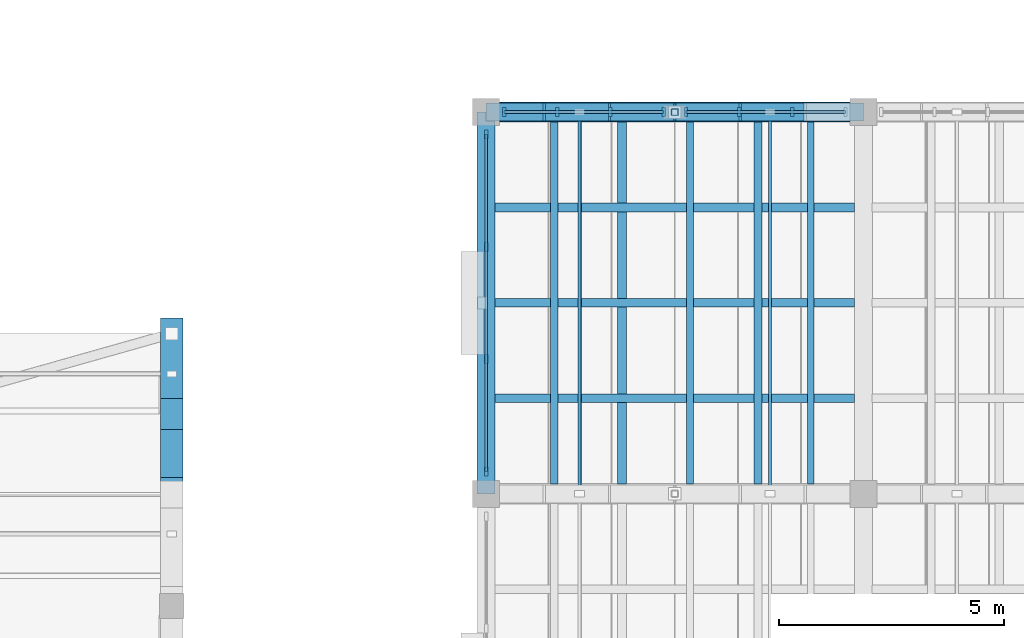
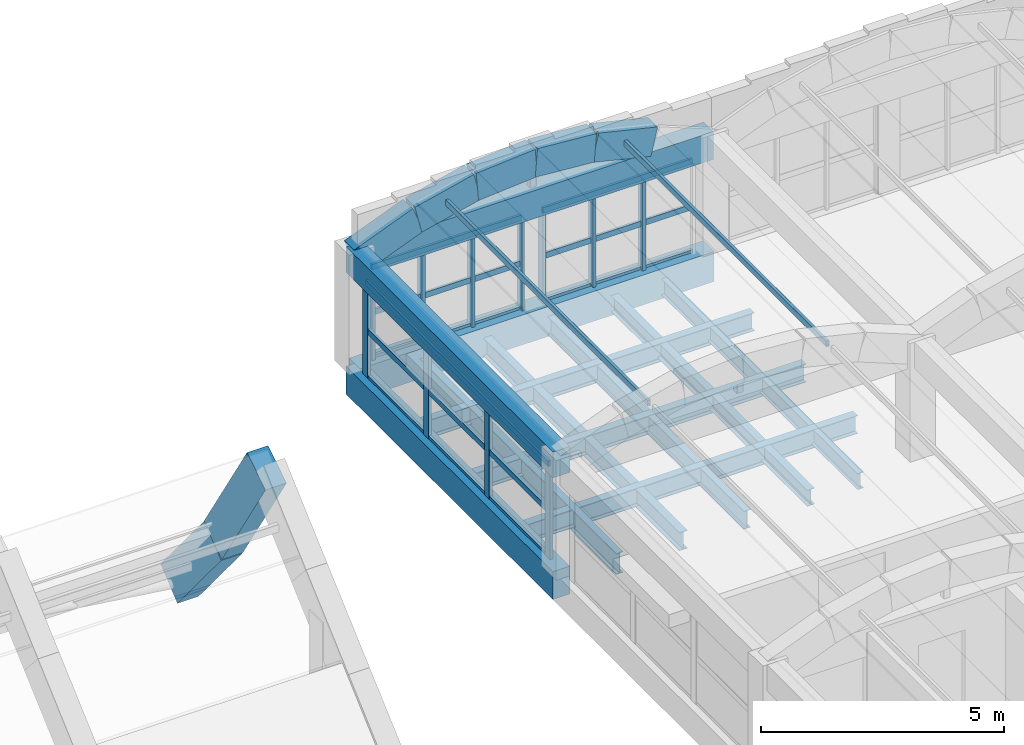
# One storey, part 11 of 40: 30 members, 12 beams, 3 elements without a shape of their own.
"""IFC4 building model written with IfcOpenShell, lengths in metres."""

from ifc_helpers import new_model, si_unit, direction, frame, origin, origin_2d, place, context, subcontext, project, spatial, rectangle, hollow_rectangle, i_section, extrude, material, layer, layer_set, material_profile, profile_set, type_object, element, aggregate, save


model = new_model("IFC4")

# Units and contexts
model_context = context("Model", 3, precision=1e-05, world=origin(), true_north=direction((0.0, 1.0)))
body_context = subcontext(model_context, "Body", "Model", "MODEL_VIEW")
ifc_project = project(units=[si_unit("LENGTHUNIT", "METRE"), si_unit("AREAUNIT", "SQUARE_METRE"), si_unit("VOLUMEUNIT", "CUBIC_METRE"), si_unit("PLANEANGLEUNIT", "RADIAN"), si_unit("MASSUNIT", "GRAM", prefix="KILO")], contexts=[model_context])

# Site, building, storey
site_placement = place(None, origin())
site = spatial("IfcSite", under=ifc_project, at=site_placement, CompositionType="ELEMENT")
building_placement = place(site_placement, origin())
building = spatial("IfcBuilding", under=site, at=building_placement, Name="Trellovar Central Fire Station", CompositionType="ELEMENT")
storey_placement = place(building_placement, frame((0.0, 0.0, 12.75)))
storey = spatial("IfcBuildingStorey", under=building, at=storey_placement, Name="L04", CompositionType="ELEMENT", Elevation=12.75)

# Beams
ifc_material_1 = material(Name="Concrete C40/50", Category="concrete")
ifc_material_profile_1 = material_profile(ifc_material_1, rectangle(XDim=0.449951171875, YDim=0.75, at=origin_2d()), Name="RC450X750")
ifc_profile_set_1 = profile_set([ifc_material_profile_1], Name="Concrete C40/50")
beam_type_1 = type_object("IfcBeamType", Name="BM-G2", PredefinedType="BEAM", material=ifc_profile_set_1)
beam_1_placement = place(storey_placement, frame((105.5, 33.0, -0.375), z_axis=(1.0, 0.0, 0.0), x_axis=(0.0, 1.0, 0.0)))
element("IfcBeam", 1, at=beam_1_placement, inside=storey, type_object=beam_type_1, Name="L04 beam G-2", PredefinedType="BEAM", context=body_context, shape_type="SweptSolid", body=[
    extrude(rectangle(XDim=0.449951171875, YDim=0.75, at=origin_2d()), origin(), (0.0, 0.0, 1.0), 8.39990234375),
])
ifc_material_2 = material(Name="Concrete C40/50", Category="concrete")
ifc_material_profile_2 = material_profile(ifc_material_2, rectangle(XDim=0.39990234375, YDim=0.699951171875, at=origin_2d()), Name="RC400X700")
ifc_profile_set_2 = profile_set([ifc_material_profile_2], Name="Concrete C40/50")
beam_type_2 = type_object("IfcBeamType", Name="BM-G3", PredefinedType="BEAM", material=ifc_profile_set_2)
beam_2_placement = place(storey_placement, frame((105.5, 24.5, -0.35009765625), z_axis=(0.0, 1.0, 0.0), x_axis=(-1.0, 0.0, 0.0)))
element("IfcBeam", 2, at=beam_2_placement, inside=storey, type_object=beam_type_2, Name="L04 beam G-3", PredefinedType="BEAM", context=body_context, shape_type="SweptSolid", body=[
    extrude(rectangle(XDim=0.39990234375, YDim=0.699951171875, at=origin_2d()), origin(), (0.0, 0.0, 1.0), 8.5),
])
beam_3_placement = place(storey_placement, frame((105.5, 33.0, 2.64990234375), z_axis=(1.0, 0.0, 0.0), x_axis=(0.0, 1.0, 0.0)))
element("IfcBeam", 3, at=beam_3_placement, inside=storey, type_object=beam_type_2, Name="L04 beam G-3", PredefinedType="BEAM", context=body_context, shape_type="SweptSolid", body=[
    extrude(rectangle(XDim=0.39990234375, YDim=0.699951171875, at=origin_2d()), origin(), (0.0, 0.0, 1.0), 8.39990234375),
])
ifc_material_3 = material(Name="Concrete C40/50", Category="concrete")
ifc_material_profile_3 = material_profile(ifc_material_3, rectangle(XDim=0.39990234375, YDim=0.64990234375, at=origin_2d()), Name="RC400X650")
ifc_profile_set_3 = profile_set([ifc_material_profile_3], Name="Concrete C40/50")
beam_type_3 = type_object("IfcBeamType", Name="BM-G4", PredefinedType="BEAM", material=ifc_profile_set_3)
beam_4_placement = place(storey_placement, frame((105.5, 24.5, 2.675048828125), z_axis=(0.0, 1.0, 0.0), x_axis=(-1.0, 0.0, 0.0)))
element("IfcBeam", 4, at=beam_4_placement, inside=storey, type_object=beam_type_3, Name="L04 beam G-4", PredefinedType="BEAM", context=body_context, shape_type="SweptSolid", body=[
    extrude(rectangle(XDim=0.39990234375, YDim=0.64990234375, at=origin_2d()), origin(), (0.0, 0.0, 1.0), 8.5),
])
ifc_material_4 = material(Name="Steel ASTM A992 Grade 50", Category="steel")
ifc_material_profile_4 = material_profile(ifc_material_4, i_section(OverallWidth=0.15283203125, OverallDepth=0.45458984375, WebThickness=0.008056640625, FlangeThickness=0.01318359375, FilletRadius=0.0126953125, at=origin_2d()), Name="W18X40")
ifc_profile_set_4 = profile_set([ifc_material_profile_4], Name="Steel ASTM A992 Grade 50")
beam_type_4 = type_object("IfcBeamType", Name="BM-SW10", PredefinedType="JOIST", material=ifc_profile_set_4)
beam_5_placement = place(storey_placement, frame((110.035888671875, 24.719970703125, -0.477294921875), z_axis=(0.0, 1.0, 0.0), x_axis=(-1.0, 0.0, 0.0)))
element("IfcBeam", 5, at=beam_5_placement, inside=storey, type_object=beam_type_4, Name="L04 secondary steel deck joist", PredefinedType="JOIST", context=body_context, shape_type="SweptSolid", body=[
    extrude(i_section(OverallWidth=0.15283203125, OverallDepth=0.45458984375, WebThickness=0.008056640625, FlangeThickness=0.01318359375, FilletRadius=0.0126953125, at=origin_2d()), origin(), (0.0, 0.0, 1.0), 8.06005859375),
])
ifc_material_5 = material(Name="Steel ASTM A992 Grade 50", Category="steel")
ifc_material_profile_5 = material_profile(ifc_material_5, i_section(OverallWidth=0.177490234375, OverallDepth=0.40380859375, WebThickness=0.007568359375, FlangeThickness=0.010986328125, FilletRadius=0.011474609375, at=origin_2d()), Name="W16X36")
ifc_profile_set_5 = profile_set([ifc_material_profile_5], Name="Steel ASTM A992 Grade 50")
beam_type_5 = type_object("IfcBeamType", Name="BM-SW11", PredefinedType="JOIST", material=ifc_profile_set_5)
beam_6_placement = place(storey_placement, frame((111.548095703125, 24.719970703125, -0.451904296875), z_axis=(0.0, 1.0, 0.0), x_axis=(-1.0, 0.0, 0.0)))
element("IfcBeam", 6, at=beam_6_placement, inside=storey, type_object=beam_type_5, Name="L04 secondary steel deck joist", PredefinedType="JOIST", context=body_context, shape_type="SweptSolid", body=[
    extrude(i_section(OverallWidth=0.177490234375, OverallDepth=0.40380859375, WebThickness=0.007568359375, FlangeThickness=0.010986328125, FilletRadius=0.011474609375, at=origin_2d()), origin(), (0.0, 0.0, 1.0), 8.06005859375),
])
ifc_material_6 = material(Name="Steel ASTM A992 Grade 50", Category="steel")
ifc_material_profile_6 = material_profile(ifc_material_6, i_section(OverallWidth=0.140380859375, OverallDepth=0.4033203125, WebThickness=0.007080078125, FlangeThickness=0.01123046875, FilletRadius=0.011474609375, at=origin_2d()), Name="W16X31")
ifc_profile_set_6 = profile_set([ifc_material_profile_6], Name="Steel ASTM A992 Grade 50")
beam_type_6 = type_object("IfcBeamType", Name="BM-SW12", PredefinedType="JOIST", material=ifc_profile_set_6)
beam_7_placement = place(storey_placement, frame((112.72412109375, 24.719970703125, -0.45166015625), z_axis=(0.0, 1.0, 0.0), x_axis=(-1.0, 0.0, 0.0)))
element("IfcBeam", 7, at=beam_7_placement, inside=storey, type_object=beam_type_6, Name="L04 secondary steel deck joist", PredefinedType="JOIST", context=body_context, shape_type="SweptSolid", body=[
    extrude(i_section(OverallWidth=0.140380859375, OverallDepth=0.4033203125, WebThickness=0.007080078125, FlangeThickness=0.01123046875, FilletRadius=0.011474609375, at=origin_2d()), origin(), (0.0, 0.0, 1.0), 8.06005859375),
])
ifc_material_7 = material(Name="Steel ASTM A992 Grade 50", Category="steel")
ifc_material_profile_7 = material_profile(ifc_material_7, i_section(OverallWidth=0.166015625, OverallDepth=0.529052734375, WebThickness=0.009765625, FlangeThickness=0.013671875, FilletRadius=0.013916015625, at=origin_2d()), Name="W21X50")
ifc_profile_set_7 = profile_set([ifc_material_profile_7], Name="Steel ASTM A992 Grade 50")
beam_type_7 = type_object("IfcBeamType", Name="BM-SW8", PredefinedType="JOIST", material=ifc_profile_set_7)
beam_8_placement = place(storey_placement, frame((107.011962890625, 24.719970703125, -0.514404296875), z_axis=(0.0, 1.0, 0.0), x_axis=(-1.0, 0.0, 0.0)))
element("IfcBeam", 8, at=beam_8_placement, inside=storey, type_object=beam_type_7, Name="L04 secondary steel deck joist", PredefinedType="JOIST", context=body_context, shape_type="SweptSolid", body=[
    extrude(i_section(OverallWidth=0.166015625, OverallDepth=0.529052734375, WebThickness=0.009765625, FlangeThickness=0.013671875, FilletRadius=0.013916015625, at=origin_2d()), origin(), (0.0, 0.0, 1.0), 8.06005859375),
])
ifc_material_8 = material(Name="Steel ASTM A992 Grade 50", Category="steel")
ifc_material_profile_8 = material_profile(ifc_material_8, i_section(OverallWidth=0.1904296875, OverallDepth=0.457275390625, WebThickness=0.009033203125, FlangeThickness=0.014404296875, FilletRadius=0.0126953125, at=origin_2d()), Name="W18X50")
ifc_profile_set_8 = profile_set([ifc_material_profile_8], Name="Steel ASTM A992 Grade 50")
beam_type_8 = type_object("IfcBeamType", Name="BM-SW9", PredefinedType="JOIST", material=ifc_profile_set_8)
for number, where, z_axis, x_axis, name in (
    (9, (105.695068359375, 26.625, -0.478515625), (1.0, 0.0, 0.0), (0.0, 1.0, 0.0), "L04 beam SB-9"),
    (10, (105.695068359375, 28.75, -0.478515625), (1.0, 0.0, 0.0), (0.0, 1.0, 0.0), "L04 beam SB-9"),
    (11, (105.695068359375, 30.875, -0.478515625), (1.0, 0.0, 0.0), (0.0, 1.0, 0.0), "L04 beam SB-9"),
):
    element("IfcBeam", number, at=place(storey_placement, frame(where, z_axis=z_axis, x_axis=x_axis)), inside=storey, type_object=beam_type_8, Name=name, PredefinedType="JOIST", context=body_context, shape_type="SweptSolid", body=[
        extrude(i_section(OverallWidth=0.1904296875, OverallDepth=0.457275390625, WebThickness=0.009033203125, FlangeThickness=0.014404296875, FilletRadius=0.0126953125, at=origin_2d()), origin(), (0.0, 0.0, 1.0), 8.010009765625),
    ])
beam_9_placement = place(storey_placement, frame((108.52392578125, 24.719970703125, -0.478515625), z_axis=(0.0, 1.0, 0.0), x_axis=(-1.0, 0.0, 0.0)))
element("IfcBeam", 12, at=beam_9_placement, inside=storey, type_object=beam_type_8, Name="L04 secondary steel deck joist", PredefinedType="JOIST", context=body_context, shape_type="SweptSolid", body=[
    extrude(i_section(OverallWidth=0.1904296875, OverallDepth=0.457275390625, WebThickness=0.009033203125, FlangeThickness=0.014404296875, FilletRadius=0.0126953125, at=origin_2d()), origin(), (0.0, 0.0, 1.0), 8.06005859375),
])

# Curtain wall, members
ifc_material_9 = material(Name="Thermally broken bronze anodized aluminum", Category="aluminium")
ifc_layer_1 = layer(ifc_material_9, 0.159912109375)
ifc_layer_set_1 = layer_set([ifc_layer_1], Name="Thermally broken bronze anodized aluminum")
curtain_wall_type_1 = type_object("IfcCurtainWallType", Name="CW-09", PredefinedType="NOTDEFINED", material=ifc_layer_set_1)
curtain_wall_1_placement = place(storey_placement, origin())
curtain_wall_1 = element("IfcCurtainWall", 13, at=curtain_wall_1_placement, inside=storey, type_object=curtain_wall_type_1, Name="L04 curtain wall CW-9", PredefinedType="NOTDEFINED")
ifc_material_10 = material(Name="Thermally broken bronze anodized aluminum", Category="aluminium")
ifc_material_profile_9 = material_profile(ifc_material_10, rectangle(XDim=0.074951171875, YDim=0.199951171875, at=origin_2d()), Name="ALU75X200")
ifc_profile_set_9 = profile_set([ifc_material_profile_9], Name="Thermally broken bronze anodized aluminum")
member_type_1 = type_object("IfcMemberType", Name="CWM-1", PredefinedType="MULLION", material=ifc_profile_set_9)
member_1_placement = place(storey_placement, frame((112.316650390625, 33.0, 0.0), z_axis=(0.0, 0.0, 1.0), x_axis=(1.0, 0.0, 0.0)))
member_1 = element("IfcMember", 14, at=member_1_placement, type_object=member_type_1, Name="CW3-L04-0091 mullion 2", PredefinedType="MULLION", context=body_context, shape_type="SweptSolid", body=[
    extrude(rectangle(XDim=0.074951171875, YDim=0.199951171875, at=origin_2d()), origin(), (0.0, 0.0, 1.0), 2.2900390625),
])
member_2_placement = place(storey_placement, frame((111.13330078125, 33.0, 0.0), z_axis=(0.0, 0.0, 1.0), x_axis=(1.0, 0.0, 0.0)))
member_2 = element("IfcMember", 15, at=member_2_placement, type_object=member_type_1, Name="CW3-L04-0091 mullion 3", PredefinedType="MULLION", context=body_context, shape_type="SweptSolid", body=[
    extrude(rectangle(XDim=0.074951171875, YDim=0.199951171875, at=origin_2d()), origin(), (0.0, 0.0, 1.0), 2.2900390625),
])
member_3_placement = place(storey_placement, frame((109.949951171875, 33.0, 0.0), z_axis=(0.0, 0.0, 1.0), x_axis=(1.0, 0.0, 0.0)))
member_3 = element("IfcMember", 16, at=member_3_placement, type_object=member_type_1, Name="CW3-L04-0091 mullion 4", PredefinedType="MULLION", context=body_context, shape_type="SweptSolid", body=[
    extrude(rectangle(XDim=0.074951171875, YDim=0.199951171875, at=origin_2d()), origin(), (0.0, 0.0, 1.0), 2.2900390625),
])

ifc_material_11 = material(Name="Thermally broken bronze anodized aluminum", Category="aluminium")
ifc_layer_2 = layer(ifc_material_11, 0.159912109375)
ifc_layer_set_2 = layer_set([ifc_layer_2], Name="Thermally broken bronze anodized aluminum")
curtain_wall_type_2 = type_object("IfcCurtainWallType", Name="CW-10", PredefinedType="NOTDEFINED", material=ifc_layer_set_2)
curtain_wall_2_placement = place(storey_placement, origin())
curtain_wall_2 = element("IfcCurtainWall", 17, at=curtain_wall_2_placement, inside=storey, type_object=curtain_wall_type_2, Name="L04 curtain wall CW-10", PredefinedType="NOTDEFINED")
member_4_placement = place(storey_placement, frame((109.449951171875, 33.0, 0.0), z_axis=(0.0, 0.0, 1.0), x_axis=(1.0, 0.0, 0.0)))
member_4 = element("IfcMember", 18, at=member_4_placement, type_object=member_type_1, Name="CW3-L04-0092 mullion 1", PredefinedType="MULLION", context=body_context, shape_type="SweptSolid", body=[
    extrude(rectangle(XDim=0.074951171875, YDim=0.199951171875, at=origin_2d()), origin(), (0.0, 0.0, 1.0), 2.2900390625),
])
member_5_placement = place(storey_placement, frame((108.2666015625, 33.0, 0.0), z_axis=(0.0, 0.0, 1.0), x_axis=(1.0, 0.0, 0.0)))
member_5 = element("IfcMember", 19, at=member_5_placement, type_object=member_type_1, Name="CW3-L04-0092 mullion 2", PredefinedType="MULLION", context=body_context, shape_type="SweptSolid", body=[
    extrude(rectangle(XDim=0.074951171875, YDim=0.199951171875, at=origin_2d()), origin(), (0.0, 0.0, 1.0), 2.2900390625),
])
member_6_placement = place(storey_placement, frame((107.083251953125, 33.0, 0.0), z_axis=(0.0, 0.0, 1.0), x_axis=(1.0, 0.0, 0.0)))
member_6 = element("IfcMember", 20, at=member_6_placement, type_object=member_type_1, Name="CW3-L04-0092 mullion 3", PredefinedType="MULLION", context=body_context, shape_type="SweptSolid", body=[
    extrude(rectangle(XDim=0.074951171875, YDim=0.199951171875, at=origin_2d()), origin(), (0.0, 0.0, 1.0), 2.2900390625),
])
member_7_placement = place(storey_placement, frame((105.89990234375, 33.0, 0.0), z_axis=(0.0, 0.0, 1.0), x_axis=(1.0, 0.0, 0.0)))
member_7 = element("IfcMember", 21, at=member_7_placement, type_object=member_type_1, Name="CW3-L04-0092 mullion 4", PredefinedType="MULLION", context=body_context, shape_type="SweptSolid", body=[
    extrude(rectangle(XDim=0.074951171875, YDim=0.199951171875, at=origin_2d()), origin(), (0.0, 0.0, 1.0), 2.2900390625),
])

ifc_material_12 = material(Name="Thermally broken bronze anodized aluminum", Category="aluminium")
ifc_layer_3 = layer(ifc_material_12, 0.159912109375)
ifc_layer_set_3 = layer_set([ifc_layer_3], Name="Thermally broken bronze anodized aluminum")
curtain_wall_type_3 = type_object("IfcCurtainWallType", Name="CW-12", PredefinedType="NOTDEFINED", material=ifc_layer_set_3)
curtain_wall_3_placement = place(storey_placement, origin())
curtain_wall_3 = element("IfcCurtainWall", 22, at=curtain_wall_3_placement, inside=storey, type_object=curtain_wall_type_3, Name="V5 L04 west courtyard curtain wall", PredefinedType="NOTDEFINED")
member_8_placement = place(storey_placement, frame((105.5, 32.5, 0.0), z_axis=(0.0, 0.0, 1.0), x_axis=(1.0, 0.0, 0.0)))
member_8 = element("IfcMember", 23, at=member_8_placement, type_object=member_type_1, Name="CW3-L04-0101 mullion 1", PredefinedType="MULLION", context=body_context, shape_type="SweptSolid", body=[
    extrude(rectangle(XDim=0.074951171875, YDim=0.199951171875, at=origin_2d()), origin(), (0.0, 0.0, 1.0), 2.340087890625),
])
member_9_placement = place(storey_placement, frame((105.5, 30.0, 0.0), z_axis=(0.0, 0.0, 1.0), x_axis=(1.0, 0.0, 0.0)))
member_9 = element("IfcMember", 24, at=member_9_placement, type_object=member_type_1, Name="CW3-L04-0101 mullion 2", PredefinedType="MULLION", context=body_context, shape_type="SweptSolid", body=[
    extrude(rectangle(XDim=0.074951171875, YDim=0.199951171875, at=origin_2d()), origin(), (0.0, 0.0, 1.0), 2.340087890625),
])
member_10_placement = place(storey_placement, frame((105.5, 27.5, 0.0), z_axis=(0.0, 0.0, 1.0), x_axis=(1.0, 0.0, 0.0)))
member_10 = element("IfcMember", 25, at=member_10_placement, type_object=member_type_1, Name="CW3-L04-0101 mullion 3", PredefinedType="MULLION", context=body_context, shape_type="SweptSolid", body=[
    extrude(rectangle(XDim=0.074951171875, YDim=0.199951171875, at=origin_2d()), origin(), (0.0, 0.0, 1.0), 2.340087890625),
])
member_11_placement = place(storey_placement, frame((105.5, 25.0, 0.0), z_axis=(0.0, 0.0, 1.0), x_axis=(1.0, 0.0, 0.0)))
member_11 = element("IfcMember", 26, at=member_11_placement, type_object=member_type_1, Name="CW3-L04-0101 mullion 4", PredefinedType="MULLION", context=body_context, shape_type="SweptSolid", body=[
    extrude(rectangle(XDim=0.074951171875, YDim=0.199951171875, at=origin_2d()), origin(), (0.0, 0.0, 1.0), 2.340087890625),
])

# Member
ifc_material_13 = material(Name="Thermally broken bronze anodized aluminum", Category="aluminium")
ifc_material_profile_10 = material_profile(ifc_material_13, rectangle(XDim=0.06005859375, YDim=0.139892578125, at=origin_2d()), Name="ALU60X140")
ifc_profile_set_10 = profile_set([ifc_material_profile_10], Name="Thermally broken bronze anodized aluminum")
member_type_2 = type_object("IfcMemberType", Name="CWT-1", PredefinedType="USERDEFINED", material=ifc_profile_set_10)
member_12_placement = place(storey_placement, frame((113.5, 33.0, 0.0), z_axis=(-1.0, 0.0, 0.0), x_axis=(0.0, -1.0, 0.0)))
member_12 = element("IfcMember", 27, at=member_12_placement, type_object=member_type_2, Name="CW3-L04-0091 transom 1", ObjectType="TRANSOM", PredefinedType="USERDEFINED", context=body_context, shape_type="SweptSolid", body=[
    extrude(rectangle(XDim=0.06005859375, YDim=0.139892578125, at=origin_2d()), origin(), (0.0, 0.0, 1.0), 3.550048828125),
])

member_13_placement = place(storey_placement, frame((113.5, 33.0, 1.14501953125), z_axis=(-1.0, 0.0, 0.0), x_axis=(0.0, -1.0, 0.0)))
member_13 = element("IfcMember", 28, at=member_13_placement, type_object=member_type_2, Name="CW3-L04-0091 transom 2", ObjectType="TRANSOM", PredefinedType="USERDEFINED", context=body_context, shape_type="SweptSolid", body=[
    extrude(rectangle(XDim=0.06005859375, YDim=0.139892578125, at=origin_2d()), origin(), (0.0, 0.0, 1.0), 3.550048828125),
])

member_14_placement = place(storey_placement, frame((113.5, 33.0, 2.2900390625), z_axis=(-1.0, 0.0, 0.0), x_axis=(0.0, -1.0, 0.0)))
member_14 = element("IfcMember", 29, at=member_14_placement, type_object=member_type_2, Name="CW3-L04-0091 transom 3", ObjectType="TRANSOM", PredefinedType="USERDEFINED", context=body_context, shape_type="SweptSolid", body=[
    extrude(rectangle(XDim=0.06005859375, YDim=0.139892578125, at=origin_2d()), origin(), (0.0, 0.0, 1.0), 3.550048828125),
])

aggregate(curtain_wall_1, [member_1, member_2, member_3, member_12, member_13, member_14])

member_15_placement = place(storey_placement, frame((109.449951171875, 33.0, 0.0), z_axis=(-1.0, 0.0, 0.0), x_axis=(0.0, -1.0, 0.0)))
member_15 = element("IfcMember", 30, at=member_15_placement, type_object=member_type_2, Name="CW3-L04-0092 transom 1", ObjectType="TRANSOM", PredefinedType="USERDEFINED", context=body_context, shape_type="SweptSolid", body=[
    extrude(rectangle(XDim=0.06005859375, YDim=0.139892578125, at=origin_2d()), origin(), (0.0, 0.0, 1.0), 3.550048828125),
])

member_16_placement = place(storey_placement, frame((109.449951171875, 33.0, 1.14501953125), z_axis=(-1.0, 0.0, 0.0), x_axis=(0.0, -1.0, 0.0)))
member_16 = element("IfcMember", 31, at=member_16_placement, type_object=member_type_2, Name="CW3-L04-0092 transom 2", ObjectType="TRANSOM", PredefinedType="USERDEFINED", context=body_context, shape_type="SweptSolid", body=[
    extrude(rectangle(XDim=0.06005859375, YDim=0.139892578125, at=origin_2d()), origin(), (0.0, 0.0, 1.0), 3.550048828125),
])

member_17_placement = place(storey_placement, frame((109.449951171875, 33.0, 2.2900390625), z_axis=(-1.0, 0.0, 0.0), x_axis=(0.0, -1.0, 0.0)))
member_17 = element("IfcMember", 32, at=member_17_placement, type_object=member_type_2, Name="CW3-L04-0092 transom 3", ObjectType="TRANSOM", PredefinedType="USERDEFINED", context=body_context, shape_type="SweptSolid", body=[
    extrude(rectangle(XDim=0.06005859375, YDim=0.139892578125, at=origin_2d()), origin(), (0.0, 0.0, 1.0), 3.550048828125),
])

aggregate(curtain_wall_2, [member_4, member_5, member_6, member_7, member_15, member_16, member_17])

member_18_placement = place(storey_placement, frame((105.5, 32.5, 0.0), z_axis=(0.0, -1.0, 0.0), x_axis=(1.0, 0.0, 0.0)))
member_18 = element("IfcMember", 33, at=member_18_placement, type_object=member_type_2, Name="CW3-L04-0101 transom 1", ObjectType="TRANSOM", PredefinedType="USERDEFINED", context=body_context, shape_type="SweptSolid", body=[
    extrude(rectangle(XDim=0.06005859375, YDim=0.139892578125, at=origin_2d()), origin(), (0.0, 0.0, 1.0), 7.5),
])

member_19_placement = place(storey_placement, frame((105.5, 32.5, 1.169921875), z_axis=(0.0, -1.0, 0.0), x_axis=(1.0, 0.0, 0.0)))
member_19 = element("IfcMember", 34, at=member_19_placement, type_object=member_type_2, Name="CW3-L04-0101 transom 2", ObjectType="TRANSOM", PredefinedType="USERDEFINED", context=body_context, shape_type="SweptSolid", body=[
    extrude(rectangle(XDim=0.06005859375, YDim=0.139892578125, at=origin_2d()), origin(), (0.0, 0.0, 1.0), 7.5),
])

member_20_placement = place(storey_placement, frame((105.5, 32.5, 2.340087890625), z_axis=(0.0, -1.0, 0.0), x_axis=(1.0, 0.0, 0.0)))
member_20 = element("IfcMember", 35, at=member_20_placement, type_object=member_type_2, Name="CW3-L04-0101 transom 3", ObjectType="TRANSOM", PredefinedType="USERDEFINED", context=body_context, shape_type="SweptSolid", body=[
    extrude(rectangle(XDim=0.06005859375, YDim=0.139892578125, at=origin_2d()), origin(), (0.0, 0.0, 1.0), 7.5),
])

aggregate(curtain_wall_3, [member_8, member_9, member_10, member_11, member_18, member_19, member_20])

# Members
ifc_material_14 = material(Name="Concrete C40/50", Category="concrete")
ifc_material_profile_11 = material_profile(ifc_material_14, rectangle(XDim=0.5, YDim=0.89990234375, at=origin_2d()), Name="RC500X900")
ifc_profile_set_11 = profile_set([ifc_material_profile_11], Name="Concrete C40/50")
member_type_3 = type_object("IfcMemberType", Name="MEM-AR1", PredefinedType="CHORD", material=ifc_profile_set_11)
member_21_placement = place(storey_placement, frame((98.5, 24.47998046875, 5.0), z_axis=(0.0, 0.535294795788, -0.844665307445), x_axis=(-1.0, 0.0, 0.0)))
element("IfcMember", 36, at=member_21_placement, inside=storey, type_object=member_type_3, Name="Parabolic arch rib AR-11 chord 07", PredefinedType="CHORD", context=body_context, shape_type="SweptSolid", body=[
    extrude(rectangle(XDim=0.5, YDim=0.89990234375, at=origin_2d()), origin(), (0.0, 0.0, 1.0), 3.349853515625),
])
member_22_placement = place(storey_placement, frame((98.5, 26.273193359375, 2.17041015625), z_axis=(0.0, 0.638268060752, -0.769814187076), x_axis=(-1.0, 0.0, 0.0)))
element("IfcMember", 37, at=member_22_placement, inside=storey, type_object=member_type_3, Name="Parabolic arch rib AR-11 chord 08", PredefinedType="CHORD", context=body_context, shape_type="SweptSolid", body=[
    extrude(rectangle(XDim=0.5, YDim=0.89990234375, at=origin_2d()), origin(), (0.0, 0.0, 1.0), 2.809814453125),
])
ifc_material_15 = material(Name="Concrete C40/50", Category="concrete")
ifc_material_profile_12 = material_profile(ifc_material_15, rectangle(XDim=0.39990234375, YDim=0.699951171875, at=origin_2d()), Name="RC400X700")
ifc_profile_set_12 = profile_set([ifc_material_profile_12], Name="Concrete C40/50")
member_type_4 = type_object("IfcMemberType", Name="MEM-LR1", PredefinedType="CHORD", material=ifc_profile_set_12)
member_23_placement = place(storey_placement, frame((105.5, 33.0, 2.679931640625), z_axis=(0.929457187308, 0.0, 0.368929989242), x_axis=(0.0, 1.0, 0.0)))
element("IfcMember", 38, at=member_23_placement, inside=storey, type_object=member_type_4, Name="V5 Catalan vault rib 1 chord 1", PredefinedType="CHORD", context=body_context, shape_type="SweptSolid", body=[
    extrude(rectangle(XDim=0.39990234375, YDim=0.699951171875, at=origin_2d()), origin(), (0.0, 0.0, 1.0), 1.506103515625),
])
member_24_placement = place(storey_placement, frame((106.89990234375, 33.0, 3.235595703125), z_axis=(0.972824412258, 0.0, 0.231544084173), x_axis=(0.0, 1.0, 0.0)))
element("IfcMember", 39, at=member_24_placement, inside=storey, type_object=member_type_4, Name="V5 Catalan vault rib 1 chord 2", PredefinedType="CHORD", context=body_context, shape_type="SweptSolid", body=[
    extrude(rectangle(XDim=0.39990234375, YDim=0.699951171875, at=origin_2d()), origin(), (0.0, 0.0, 1.0), 1.439208984375),
])
member_25_placement = place(storey_placement, frame((108.300048828125, 33.0, 3.56884765625), z_axis=(0.996866480688, 0.0, 0.079102589591), x_axis=(0.0, 1.0, 0.0)))
element("IfcMember", 40, at=member_25_placement, inside=storey, type_object=member_type_4, Name="V5 Catalan vault rib 1 chord 3", PredefinedType="CHORD", context=body_context, shape_type="SweptSolid", body=[
    extrude(rectangle(XDim=0.39990234375, YDim=0.699951171875, at=origin_2d()), origin(), (0.0, 0.0, 1.0), 1.404296875),
])
member_26_placement = place(storey_placement, frame((109.699951171875, 33.0, 3.679931640625), z_axis=(0.996867568235, 0.0, -0.07908888292), x_axis=(0.0, 1.0, 0.0)))
element("IfcMember", 41, at=member_26_placement, inside=storey, type_object=member_type_4, Name="V5 Catalan vault rib 1 chord 4", PredefinedType="CHORD", context=body_context, shape_type="SweptSolid", body=[
    extrude(rectangle(XDim=0.39990234375, YDim=0.699951171875, at=origin_2d()), origin(), (0.0, 0.0, 1.0), 1.404541015625),
])
member_27_placement = place(storey_placement, frame((111.10009765625, 33.0, 3.56884765625), z_axis=(0.972815315724, 0.0, -0.23158229961), x_axis=(0.0, 1.0, 0.0)))
element("IfcMember", 42, at=member_27_placement, inside=storey, type_object=member_type_4, Name="V5 Catalan vault rib 1 chord 5", PredefinedType="CHORD", context=body_context, shape_type="SweptSolid", body=[
    extrude(rectangle(XDim=0.39990234375, YDim=0.699951171875, at=origin_2d()), origin(), (0.0, 0.0, 1.0), 1.43896484375),
])
ifc_material_16 = material(Name="Steel ASTM A500 Grade C", Category="steel")
ifc_material_profile_13 = material_profile(ifc_material_16, hollow_rectangle(XDim=0.076171875, YDim=0.15234375, WallThickness=0.005859375, InnerFilletRadius=0.005859375, OuterFilletRadius=0.01171875, at=origin_2d()), Name="HSS6X3X1/4")
ifc_profile_set_13 = profile_set([ifc_material_profile_13], Name="Steel ASTM A500 Grade C")
member_type_5 = type_object("IfcMemberType", Name="MEM-PU2", PredefinedType="PURLIN", material=ifc_profile_set_13)
for number, where, z_axis, x_axis, name in (
    (43, (107.580322265625, 24.5, 3.4375), (0.0, 1.0, 0.0), (-1.0, 0.0, 0.0), "V5 vault purlin 1-2"),
    (44, (111.819580078125, 24.5, 3.4375), (0.0, 1.0, 0.0), (-1.0, 0.0, 0.0), "V5 vault purlin 1-5"),
):
    element("IfcMember", number, at=place(storey_placement, frame(where, z_axis=z_axis, x_axis=x_axis)), inside=storey, type_object=member_type_5, Name=name, PredefinedType="PURLIN", context=body_context, shape_type="SweptSolid", body=[
        extrude(hollow_rectangle(XDim=0.076171875, YDim=0.15234375, WallThickness=0.005859375, InnerFilletRadius=0.005859375, OuterFilletRadius=0.01171875, at=origin_2d()), origin(), (0.0, 0.0, 1.0), 8.5),
    ])
ifc_material_17 = material(Name="Steel ASTM A500 Grade C", Category="steel")
ifc_material_profile_14 = material_profile(ifc_material_17, hollow_rectangle(XDim=0.15234375, YDim=0.15234375, WallThickness=0.0087890625, InnerFilletRadius=0.0087890625, OuterFilletRadius=0.017822265625, at=origin_2d()), Name="HSS6X6X3/8")
ifc_profile_set_14 = profile_set([ifc_material_profile_14], Name="Steel ASTM A500 Grade C")
member_type_6 = type_object("IfcMemberType", Name="MEM-ST1", PredefinedType="STRUT", material=ifc_profile_set_14)
member_28_placement = place(storey_placement, frame((109.699951171875, 33.0, 2.699951171875), z_axis=(0.0, 0.0, 1.0), x_axis=(1.0, 0.0, 0.0)))
element("IfcMember", 45, at=member_28_placement, inside=storey, type_object=member_type_6, Name="V5 Catalan vault apex post 1", PredefinedType="STRUT", context=body_context, shape_type="SweptSolid", body=[
    extrude(hollow_rectangle(XDim=0.15234375, YDim=0.15234375, WallThickness=0.0087890625, InnerFilletRadius=0.0087890625, OuterFilletRadius=0.017822265625, at=origin_2d()), origin(), (0.0, 0.0, 1.0), 0.97998046875),
])

save(model, "model.ifc")
